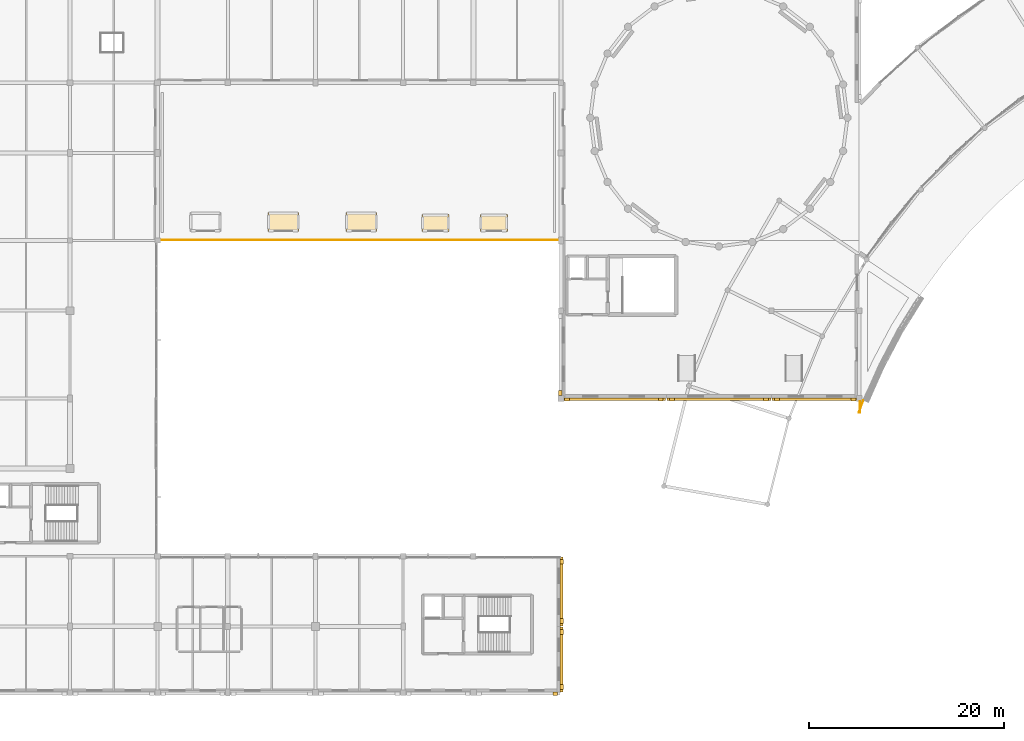
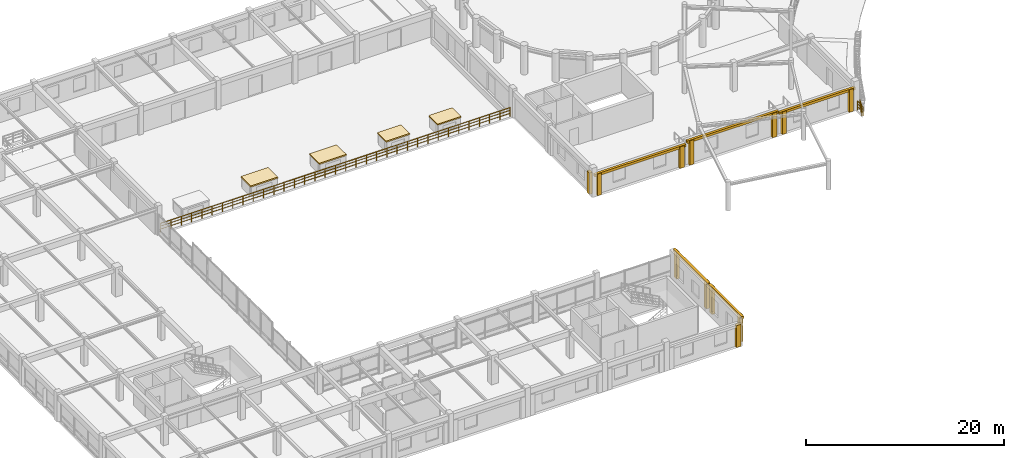
# One storey, part 63 of 74: 21 coverings, 3 railings.
"""IFC4 building model written with IfcOpenShell, lengths in metres."""

from ifc_helpers import new_model, si_unit, direction, frame, frame_2d, origin, origin_2d, place, context, subcontext, project, spatial, polyline, rectangle, circle, outline, extrude, material, layer, layer_set, type_object, element, save


model = new_model("IFC4")

# Units and contexts
model_context = context("Model", 3, precision=1e-05, world=origin(), true_north=direction((0.0, 1.0)))
body_context = subcontext(model_context, "Body", "Model", "MODEL_VIEW")
ifc_project = project(units=[si_unit("LENGTHUNIT", "METRE"), si_unit("AREAUNIT", "SQUARE_METRE"), si_unit("VOLUMEUNIT", "CUBIC_METRE"), si_unit("PLANEANGLEUNIT", "RADIAN"), si_unit("MASSUNIT", "GRAM", prefix="KILO")], contexts=[model_context])

# Site, building, storey
site_placement = place(None, origin())
site = spatial("IfcSite", under=ifc_project, at=site_placement, CompositionType="ELEMENT")
building_placement = place(site_placement, origin())
building = spatial("IfcBuilding", under=site, at=building_placement, Name="Clarverna Civic Hall", CompositionType="ELEMENT")
storey_placement = place(building_placement, frame((0.0, 0.0, 9.60009765625)))
storey = spatial("IfcBuildingStorey", under=building, at=storey_placement, Name="L02", CompositionType="ELEMENT", Elevation=9.60009765625)

# Coverings
ifc_material_1 = material(Name="Montjuic Buff Limestone Ashlar Cladding", Category="masonry")
ifc_layer_1 = layer(ifc_material_1, 0.070068359375)
ifc_layer_set_1 = layer_set([ifc_layer_1], Name="Montjuic Buff Limestone Ashlar Cladding")
covering_type_1 = type_object("IfcCoveringType", Name="CV-CL2", PredefinedType="CLADDING", material=ifc_layer_set_1)
covering_1_placement = place(storey_placement, frame((97.114990234375, 30.1201171875, 2.5), z_axis=(0.0, 0.0, 1.0), x_axis=(-1.0, 0.0, 0.0)))
element("IfcCovering", 1, at=covering_1_placement, inside=storey, type_object=covering_type_1, Name="CV-CL2-488", PredefinedType="CLADDING", context=body_context, shape_type="SweptSolid", body=[
    extrude(rectangle(XDim=8.85498046875, YDim=0.280029296875, at=frame_2d((4.427490234375, 0.0))), origin(), (0.0, 0.0, 1.0), 0.2998046875),
])
for number, where, z_axis, x_axis, name in (
    (2, (96.85498046875, 30.090087890625, 0.0), (0.0, 0.0, 1.0), (-1.0, 0.0, 0.0), "CV-CL2-489"),
    (3, (89.02001953125, 30.090087890625, 0.0), (0.0, 0.0, 1.0), (-1.0, 0.0, 0.0), "CV-CL2-490"),
):
    element("IfcCovering", number, at=place(storey_placement, frame(where, z_axis=z_axis, x_axis=x_axis)), inside=storey, type_object=covering_type_1, Name=name, PredefinedType="CLADDING", context=body_context, shape_type="SweptSolid", body=[
        extrude(rectangle(XDim=0.5, YDim=0.340087890625, at=frame_2d((0.25, 0.0))), origin(), (0.0, 0.0, 1.0), 2.77978515625),
    ])
covering_2_placement = place(storey_placement, frame((88.139892578125, 30.1201171875, 2.72998046875), z_axis=(0.0, 0.0, 1.0), x_axis=(-1.0, 0.0, 0.0)))
element("IfcCovering", 4, at=covering_2_placement, inside=storey, type_object=covering_type_1, Name="CV-CL2-491", PredefinedType="CLADDING", context=body_context, shape_type="SweptSolid", body=[
    extrude(rectangle(XDim=10.679931640625, YDim=0.280029296875, at=frame_2d((5.33984375, 0.0))), origin(), (0.0, 0.0, 1.0), 0.2998046875),
])
for number, where, z_axis, x_axis, name in (
    (5, (87.8798828125, 30.090087890625, 0.0), (0.0, 0.0, 1.0), (-1.0, 0.0, 0.0), "CV-CL2-492"),
    (6, (78.219970703125, 30.090087890625, 0.0), (0.0, 0.0, 1.0), (-1.0, 0.0, 0.0), "CV-CL2-493"),
):
    element("IfcCovering", number, at=place(storey_placement, frame(where, z_axis=z_axis, x_axis=x_axis)), inside=storey, type_object=covering_type_1, Name=name, PredefinedType="CLADDING", context=body_context, shape_type="SweptSolid", body=[
        extrude(rectangle(XDim=0.5, YDim=0.340087890625, at=frame_2d((0.25, 0.0))), origin(), (0.0, 0.0, 1.0), 3.010009765625),
    ])
covering_3_placement = place(storey_placement, frame((77.340087890625, 30.1201171875, 2.3798828125), z_axis=(0.0, 0.0, 1.0), x_axis=(-1.0, 0.0, 0.0)))
element("IfcCovering", 7, at=covering_3_placement, inside=storey, type_object=covering_type_1, Name="CV-CL2-494", PredefinedType="CLADDING", context=body_context, shape_type="SweptSolid", body=[
    extrude(rectangle(XDim=10.655029296875, YDim=0.280029296875, at=frame_2d((5.32763671875, 0.0))), origin(), (0.0, 0.0, 1.0), 0.300048828125),
])
for number, where, z_axis, x_axis, name in (
    (8, (77.080078125, 30.090087890625, 0.0), (0.0, 0.0, 1.0), (-1.0, 0.0, 0.0), "CV-CL2-495"),
    (9, (67.445068359375, 30.090087890625, 0.0), (0.0, 0.0, 1.0), (-1.0, 0.0, 0.0), "CV-CL2-496"),
    (10, (66.514892578125, 30.52001953125, 0.0), (0.0, 0.0, 1.0), (0.0, 1.0, 0.0), "CV-CL2-498"),
):
    element("IfcCovering", number, at=place(storey_placement, frame(where, z_axis=z_axis, x_axis=x_axis)), inside=storey, type_object=covering_type_1, Name=name, PredefinedType="CLADDING", context=body_context, shape_type="SweptSolid", body=[
        extrude(rectangle(XDim=0.5, YDim=0.340087890625, at=frame_2d((0.25, 0.0))), origin(), (0.0, 0.0, 1.0), 2.659912109375),
    ])
covering_4_placement = place(storey_placement, frame((66.655029296875, 13.93994140625, 3.039794921875), z_axis=(0.0, 0.0, 1.0), x_axis=(0.0, -1.0, 0.0)))
element("IfcCovering", 11, at=covering_4_placement, inside=storey, type_object=covering_type_1, Name="CV-CL2-500", PredefinedType="CLADDING", context=body_context, shape_type="SweptSolid", body=[
    extrude(rectangle(XDim=7.079833984375, YDim=0.280029296875, at=frame_2d((3.5400390625, 0.0))), origin(), (0.0, 0.0, 1.0), 0.300048828125),
])
for number, where, z_axis, x_axis, name in (
    (12, (66.68505859375, 13.679931640625, 0.0), (0.0, 0.0, 1.0), (0.0, -1.0, 0.0), "CV-CL2-501"),
    (13, (66.68505859375, 7.6201171875, 0.0), (0.0, 0.0, 1.0), (0.0, -1.0, 0.0), "CV-CL2-502"),
):
    element("IfcCovering", number, at=place(storey_placement, frame(where, z_axis=z_axis, x_axis=x_axis)), inside=storey, type_object=covering_type_1, Name=name, PredefinedType="CLADDING", context=body_context, shape_type="SweptSolid", body=[
        extrude(rectangle(XDim=0.5, YDim=0.340087890625, at=frame_2d((0.25, 0.0))), origin(), (0.0, 0.0, 1.0), 3.31982421875),
    ])
covering_5_placement = place(storey_placement, frame((66.655029296875, 6.739990234375, 3.039794921875), z_axis=(0.0, 0.0, 1.0), x_axis=(0.0, -1.0, 0.0)))
element("IfcCovering", 14, at=covering_5_placement, inside=storey, type_object=covering_type_1, Name="CV-CL2-503", PredefinedType="CLADDING", context=body_context, shape_type="SweptSolid", body=[
    extrude(rectangle(XDim=6.679931640625, YDim=0.280029296875, at=frame_2d((3.33984375, 0.0))), origin(), (0.0, 0.0, 1.0), 0.300048828125),
])
for number, where, z_axis, x_axis, name in (
    (15, (66.68505859375, 6.47998046875, 0.0), (0.0, 0.0, 1.0), (0.0, -1.0, 0.0), "CV-CL2-504"),
    (16, (66.68505859375, 0.820068359375, 0.0), (0.0, 0.0, 1.0), (0.0, -1.0, 0.0), "CV-CL2-505"),
):
    element("IfcCovering", number, at=place(storey_placement, frame(where, z_axis=z_axis, x_axis=x_axis)), inside=storey, type_object=covering_type_1, Name=name, PredefinedType="CLADDING", context=body_context, shape_type="SweptSolid", body=[
        extrude(rectangle(XDim=0.5, YDim=0.340087890625, at=frame_2d((0.25, 0.0))), origin(), (0.0, 0.0, 1.0), 3.31982421875),
    ])
covering_6_placement = place(storey_placement, frame((66.2548828125, -0.110107421875, 0.0), z_axis=(0.0, 0.0, 1.0), x_axis=(-1.0, 0.0, 0.0)))
element("IfcCovering", 17, at=covering_6_placement, inside=storey, type_object=covering_type_1, Name="CV-CL2-507", PredefinedType="CLADDING", context=body_context, shape_type="SweptSolid", body=[
    extrude(rectangle(XDim=0.5, YDim=0.340087890625, at=frame_2d((0.25, 0.0))), origin(), (0.0, 0.0, 1.0), 2.699951171875),
])
ifc_material_2 = material(Name="EPDM Waterproofing Membrane and PIR Roof Insulation")
ifc_layer_2 = layer(ifc_material_2, 0.1201171875)
ifc_layer_set_2 = layer_set([ifc_layer_2], Name="EPDM Waterproofing Membrane and PIR Roof Insulation")
covering_type_2 = type_object("IfcCoveringType", Name="CV-RF2", PredefinedType="ROOFING", material=ifc_layer_set_2)
covering_7_placement = place(storey_placement, frame((0.0, 0.0, 1.159912109375)))
element("IfcCovering", 18, at=covering_7_placement, inside=storey, type_object=covering_type_2, Name="CV-RF2-005", PredefinedType="ROOFING", context=body_context, shape_type="SweptSolid", body=[
    extrude(outline(polyline([(36.52001953125, 47.320068359375), (39.679931640625, 47.320068359375), (39.679931640625, 49.280029296875), (36.52001953125, 49.280029296875), (36.52001953125, 47.320068359375)])), origin(), (0.0, 0.0, 1.0), 0.159912109375),
])
covering_8_placement = place(storey_placement, frame((0.0, 0.0, 1.159912109375)))
element("IfcCovering", 19, at=covering_8_placement, inside=storey, type_object=covering_type_2, Name="CV-RF2-006", PredefinedType="ROOFING", context=body_context, shape_type="SweptSolid", body=[
    extrude(outline(polyline([(44.52001953125, 47.320068359375), (47.679931640625, 47.320068359375), (47.679931640625, 49.280029296875), (44.52001953125, 49.280029296875), (44.52001953125, 47.320068359375)])), origin(), (0.0, 0.0, 1.0), 0.159912109375),
])
covering_9_placement = place(storey_placement, frame((0.0, 0.0, 1.159912109375)))
element("IfcCovering", 20, at=covering_9_placement, inside=storey, type_object=covering_type_2, Name="CV-RF2-007", PredefinedType="ROOFING", context=body_context, shape_type="SweptSolid", body=[
    extrude(outline(polyline([(52.320068359375, 47.320068359375), (55.080078125, 47.320068359375), (55.080078125, 49.080078125), (52.320068359375, 49.080078125), (52.320068359375, 47.320068359375)])), origin(), (0.0, 0.0, 1.0), 0.159912109375),
])
covering_10_placement = place(storey_placement, frame((0.0, 0.0, 1.159912109375)))
element("IfcCovering", 21, at=covering_10_placement, inside=storey, type_object=covering_type_2, Name="CV-RF2-008", PredefinedType="ROOFING", context=body_context, shape_type="SweptSolid", body=[
    extrude(outline(polyline([(58.320068359375, 47.320068359375), (61.080078125, 47.320068359375), (61.080078125, 49.080078125), (58.320068359375, 49.080078125), (58.320068359375, 47.320068359375)])), origin(), (0.0, 0.0, 1.0), 0.159912109375),
])

# Railings
ifc_material_3 = material(Name="Anodised Bronze Architectural Balustrade")
railing_type = type_object("IfcRailingType", Name="GR-01", PredefinedType="BALUSTRADE", material=ifc_material_3)
railing_1_placement = place(storey_placement, frame((97.284912109375, 28.737548828125, 0.0)))
element("IfcRailing", 22, at=railing_1_placement, inside=storey, type_object=railing_type, Name="GR-01-008", PredefinedType="BALUSTRADE", context=body_context, shape_type="SweptSolid", body=[
    extrude(circle(Radius=0.02392578125, at=origin_2d()), frame((0.0, 0.0, 1.09619140625), z_axis=(0.0, 1.0, 0.0), x_axis=(-1.0, 0.0, 0.0)), (0.0, 0.0, 1.0), 1.146728515625),
    extrude(circle(Radius=0.011962890625, at=origin_2d()), frame((0.0, 0.0, 0.39208984375), z_axis=(0.0, 1.0, 0.0), x_axis=(-1.0, 0.0, 0.0)), (0.0, 0.0, 1.0), 1.146728515625),
    extrude(circle(Radius=0.011962890625, at=origin_2d()), frame((0.0, 0.0, 0.76171875), z_axis=(0.0, 1.0, 0.0), x_axis=(-1.0, 0.0, 0.0)), (0.0, 0.0, 1.0), 1.146728515625),
    extrude(circle(Radius=0.02099609375, at=origin_2d()), origin(), (0.0, 0.0, 1.0), 1.072021484375),
    extrude(circle(Radius=0.02099609375, at=origin_2d()), frame((0.0, 1.146728515625, 0.0)), (0.0, 0.0, 1.0), 1.072021484375),
])
railing_2_placement = place(storey_placement, frame((97.610595703125, 29.972412109375, 0.0)))
element("IfcRailing", 23, at=railing_2_placement, inside=storey, type_object=railing_type, Name="GR-01-013", PredefinedType="BALUSTRADE", context=body_context, shape_type="SweptSolid", body=[
    extrude(circle(Radius=0.02392578125, at=origin_2d()), frame((0.0, 0.0, 1.09619140625), z_axis=(-0.341955423338, -0.939716174411, 0.0), x_axis=(0.939716174411, -0.341955423338, 0.0)), (0.0, 0.0, 1.0), 1.292236328125),
    extrude(circle(Radius=0.011962890625, at=origin_2d()), frame((0.0, 0.0, 0.39208984375), z_axis=(-0.341955423338, -0.939716174411, 0.0), x_axis=(0.939716174411, -0.341955423338, 0.0)), (0.0, 0.0, 1.0), 1.292236328125),
    extrude(circle(Radius=0.011962890625, at=origin_2d()), frame((0.0, 0.0, 0.76171875), z_axis=(-0.341955423338, -0.939716174411, 0.0), x_axis=(0.939716174411, -0.341955423338, 0.0)), (0.0, 0.0, 1.0), 1.292236328125),
    extrude(circle(Radius=0.02099609375, at=origin_2d()), origin(), (0.0, 0.0, 1.0), 1.072021484375),
    extrude(circle(Radius=0.02099609375, at=origin_2d()), frame((-0.220947265625, -0.607177734375, 0.0)), (0.0, 0.0, 1.0), 1.072021484375),
    extrude(circle(Radius=0.02099609375, at=origin_2d()), frame((-0.44189453125, -1.21435546875, 0.0)), (0.0, 0.0, 1.0), 1.072021484375),
])
railing_3_placement = place(storey_placement, frame((66.304931640625, 46.4599609375, 0.0)))
element("IfcRailing", 24, at=railing_3_placement, inside=storey, type_object=railing_type, Name="GR-01-014", PredefinedType="BALUSTRADE", context=body_context, shape_type="SweptSolid", body=[
    extrude(circle(Radius=0.02392578125, at=origin_2d()), frame((0.0, 0.0, 1.09619140625), z_axis=(-1.0, 0.0, 0.0), x_axis=(0.0, -1.0, 0.0)), (0.0, 0.0, 1.0), 40.784912109375),
    extrude(circle(Radius=0.011962890625, at=origin_2d()), frame((0.0, 0.0, 0.39208984375), z_axis=(-1.0, 0.0, 0.0), x_axis=(0.0, -1.0, 0.0)), (0.0, 0.0, 1.0), 40.784912109375),
    extrude(circle(Radius=0.011962890625, at=origin_2d()), frame((0.0, 0.0, 0.76171875), z_axis=(-1.0, 0.0, 0.0), x_axis=(0.0, -1.0, 0.0)), (0.0, 0.0, 1.0), 40.784912109375),
    extrude(circle(Radius=0.02099609375, at=origin_2d()), origin(), (0.0, 0.0, 1.0), 1.072021484375),
    extrude(circle(Radius=0.02099609375, at=origin_2d()), frame((-1.199462890625, 0.0, 0.0)), (0.0, 0.0, 1.0), 1.072021484375),
    extrude(circle(Radius=0.02099609375, at=origin_2d()), frame((-2.399169921875, 0.0, 0.0)), (0.0, 0.0, 1.0), 1.072021484375),
    extrude(circle(Radius=0.02099609375, at=origin_2d()), frame((-3.5986328125, 0.0, 0.0)), (0.0, 0.0, 1.0), 1.072021484375),
    extrude(circle(Radius=0.02099609375, at=origin_2d()), frame((-4.79833984375, 0.0, 0.0)), (0.0, 0.0, 1.0), 1.072021484375),
    extrude(circle(Radius=0.02099609375, at=origin_2d()), frame((-5.997802734375, 0.0, 0.0)), (0.0, 0.0, 1.0), 1.072021484375),
    extrude(circle(Radius=0.02099609375, at=origin_2d()), frame((-7.197265625, 0.0, 0.0)), (0.0, 0.0, 1.0), 1.072021484375),
    extrude(circle(Radius=0.02099609375, at=origin_2d()), frame((-8.39697265625, 0.0, 0.0)), (0.0, 0.0, 1.0), 1.072021484375),
    extrude(circle(Radius=0.02099609375, at=origin_2d()), frame((-9.596435546875, 0.0, 0.0)), (0.0, 0.0, 1.0), 1.072021484375),
    extrude(circle(Radius=0.02099609375, at=origin_2d()), frame((-10.7958984375, 0.0, 0.0)), (0.0, 0.0, 1.0), 1.072021484375),
    extrude(circle(Radius=0.02099609375, at=origin_2d()), frame((-11.99560546875, 0.0, 0.0)), (0.0, 0.0, 1.0), 1.072021484375),
    extrude(circle(Radius=0.02099609375, at=origin_2d()), frame((-13.195068359375, 0.0, 0.0)), (0.0, 0.0, 1.0), 1.072021484375),
    extrude(circle(Radius=0.02099609375, at=origin_2d()), frame((-14.394775390625, 0.0, 0.0)), (0.0, 0.0, 1.0), 1.072021484375),
    extrude(circle(Radius=0.02099609375, at=origin_2d()), frame((-15.59423828125, 0.0, 0.0)), (0.0, 0.0, 1.0), 1.072021484375),
    extrude(circle(Radius=0.02099609375, at=origin_2d()), frame((-16.793701171875, 0.0, 0.0)), (0.0, 0.0, 1.0), 1.072021484375),
    extrude(circle(Radius=0.02099609375, at=origin_2d()), frame((-17.993408203125, 0.0, 0.0)), (0.0, 0.0, 1.0), 1.072021484375),
    extrude(circle(Radius=0.02099609375, at=origin_2d()), frame((-19.19287109375, 0.0, 0.0)), (0.0, 0.0, 1.0), 1.072021484375),
    extrude(circle(Radius=0.02099609375, at=origin_2d()), frame((-20.392578125, 0.0, 0.0)), (0.0, 0.0, 1.0), 1.072021484375),
    extrude(circle(Radius=0.02099609375, at=origin_2d()), frame((-21.592041015625, 0.0, 0.0)), (0.0, 0.0, 1.0), 1.072021484375),
    extrude(circle(Radius=0.02099609375, at=origin_2d()), frame((-22.79150390625, 0.0, 0.0)), (0.0, 0.0, 1.0), 1.072021484375),
    extrude(circle(Radius=0.02099609375, at=origin_2d()), frame((-23.9912109375, 0.0, 0.0)), (0.0, 0.0, 1.0), 1.072021484375),
    extrude(circle(Radius=0.02099609375, at=origin_2d()), frame((-25.190673828125, 0.0, 0.0)), (0.0, 0.0, 1.0), 1.072021484375),
    extrude(circle(Radius=0.02099609375, at=origin_2d()), frame((-26.39013671875, 0.0, 0.0)), (0.0, 0.0, 1.0), 1.072021484375),
    extrude(circle(Radius=0.02099609375, at=origin_2d()), frame((-27.58984375, 0.0, 0.0)), (0.0, 0.0, 1.0), 1.072021484375),
    extrude(circle(Radius=0.02099609375, at=origin_2d()), frame((-28.789306640625, 0.0, 0.0)), (0.0, 0.0, 1.0), 1.072021484375),
    extrude(circle(Radius=0.02099609375, at=origin_2d()), frame((-29.989013671875, 0.0, 0.0)), (0.0, 0.0, 1.0), 1.072021484375),
    extrude(circle(Radius=0.02099609375, at=origin_2d()), frame((-31.1884765625, 0.0, 0.0)), (0.0, 0.0, 1.0), 1.072021484375),
    extrude(circle(Radius=0.02099609375, at=origin_2d()), frame((-32.387939453125, 0.0, 0.0)), (0.0, 0.0, 1.0), 1.072021484375),
    extrude(circle(Radius=0.02099609375, at=origin_2d()), frame((-33.587646484375, 0.0, 0.0)), (0.0, 0.0, 1.0), 1.072021484375),
    extrude(circle(Radius=0.02099609375, at=origin_2d()), frame((-34.787109375, 0.0, 0.0)), (0.0, 0.0, 1.0), 1.072021484375),
    extrude(circle(Radius=0.02099609375, at=origin_2d()), frame((-35.986572265625, 0.0, 0.0)), (0.0, 0.0, 1.0), 1.072021484375),
    extrude(circle(Radius=0.02099609375, at=origin_2d()), frame((-37.186279296875, 0.0, 0.0)), (0.0, 0.0, 1.0), 1.072021484375),
    extrude(circle(Radius=0.02099609375, at=origin_2d()), frame((-38.3857421875, 0.0, 0.0)), (0.0, 0.0, 1.0), 1.072021484375),
    extrude(circle(Radius=0.02099609375, at=origin_2d()), frame((-39.58544921875, 0.0, 0.0)), (0.0, 0.0, 1.0), 1.072021484375),
    extrude(circle(Radius=0.02099609375, at=origin_2d()), frame((-40.784912109375, 0.0, 0.0)), (0.0, 0.0, 1.0), 1.072021484375),
])

save(model, "model.ifc")
